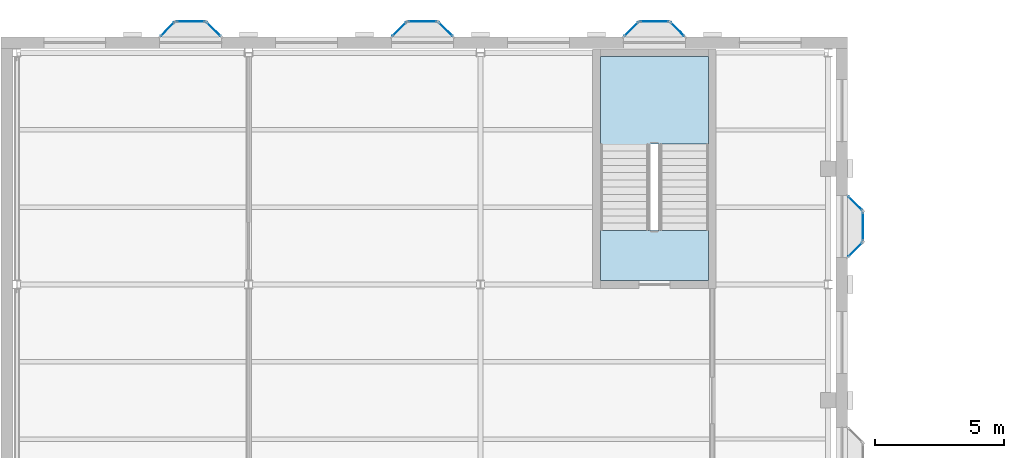
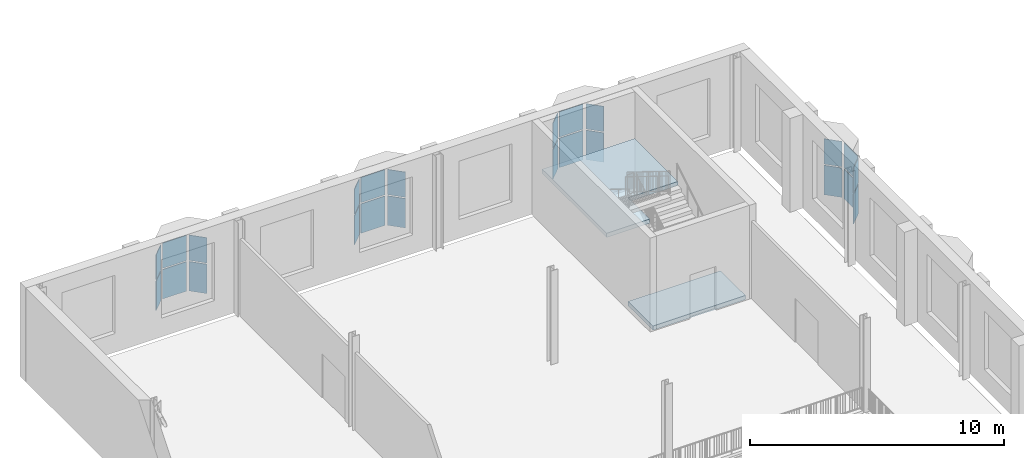
# One storey, part 38 of 74: 24 plates, 2 slabs, 13 elements without a shape of their own.
"""IFC4 building model written with IfcOpenShell, lengths in metres."""

from ifc_helpers import new_model, si_unit, direction, frame, origin, origin_2d, place, context, subcontext, project, spatial, polyline, rectangle, outline, extrude, material, layer, layer_set, type_object, element, aggregate, save


model = new_model("IFC4")

# Units and contexts
model_context = context("Model", 3, precision=1e-05, world=origin(), true_north=direction((0.0, 1.0)))
body_context = subcontext(model_context, "Body", "Model", "MODEL_VIEW")
ifc_project = project(units=[si_unit("LENGTHUNIT", "METRE"), si_unit("AREAUNIT", "SQUARE_METRE"), si_unit("VOLUMEUNIT", "CUBIC_METRE"), si_unit("PLANEANGLEUNIT", "RADIAN"), si_unit("MASSUNIT", "GRAM", prefix="KILO")], contexts=[model_context])

# Site, building, storey
site_placement = place(None, origin())
site = spatial("IfcSite", under=ifc_project, at=site_placement, CompositionType="ELEMENT")
building_placement = place(site_placement, origin())
building = spatial("IfcBuilding", under=site, at=building_placement, Name="Hortulan Conservatory and Botanical Research Centre", CompositionType="ELEMENT")
storey_placement = place(building_placement, frame((0.0, 0.0, 6.0)))
storey = spatial("IfcBuildingStorey", under=building, at=storey_placement, Name="L01", CompositionType="ELEMENT", Elevation=6.0)

# Curtain wall, plates
ifc_material_1 = material(Name="Bronze-finished aluminium", Category="aluminium")
ifc_layer_1 = layer(ifc_material_1, 0.10009765625)
ifc_layer_set_1 = layer_set([ifc_layer_1], Name="Oriel Curtain Wall 1350 module")
curtain_wall_type = type_object("IfcCurtainWallType", Name="Oriel Curtain Wall 1350 module", PredefinedType="NOTDEFINED", material=ifc_layer_set_1)
curtain_wall_1_placement = place(storey_placement, origin())
curtain_wall_1 = element("IfcCurtainWall", 1, at=curtain_wall_1_placement, inside=storey, type_object=curtain_wall_type, Name="Oriel glazing", PredefinedType="NOTDEFINED")
ifc_material_2 = material(Name="Low-e laminated glass", Category="glass")
ifc_layer_2 = layer(ifc_material_2, 0.028076171875)
ifc_layer_set_2 = layer_set([ifc_layer_2], Name="Laminated Glass Panel 28")
plate_type = type_object("IfcPlateType", Name="Laminated Glass Panel 28", PredefinedType="CURTAIN_PANEL", material=ifc_layer_set_2)
plate_1_placement = place(storey_placement, frame((5.85009765625, 72.910400390625, 0.9599609375), z_axis=(0.0, 0.0, 1.0), x_axis=(0.707106781187, 0.707106781187, 0.0)))
plate_1 = element("IfcPlate", 2, at=plate_1_placement, type_object=plate_type, Name="CW2 panel 1.1", PredefinedType="CURTAIN_PANEL", context=body_context, shape_type="SweptSolid", body=[
    extrude(rectangle(XDim=0.728515625, YDim=0.028076171875, at=origin_2d()), origin(), (0.0, 0.0, 1.0), 1.409912109375),
])
plate_2_placement = place(storey_placement, frame((5.85009765625, 72.910400390625, 2.429931640625), z_axis=(0.0, 0.0, 1.0), x_axis=(0.707106781187, 0.707106781187, 0.0)))
plate_2 = element("IfcPlate", 3, at=plate_2_placement, type_object=plate_type, Name="CW2 panel 1.2", PredefinedType="CURTAIN_PANEL", context=body_context, shape_type="SweptSolid", body=[
    extrude(rectangle(XDim=0.728515625, YDim=0.028076171875, at=origin_2d()), origin(), (0.0, 0.0, 1.0), 1.2099609375),
])
aggregate(curtain_wall_1, [plate_1, plate_2])

curtain_wall_2_placement = place(storey_placement, origin())
curtain_wall_2 = element("IfcCurtainWall", 4, at=curtain_wall_2_placement, inside=storey, type_object=curtain_wall_type, Name="Oriel glazing", PredefinedType="NOTDEFINED")
plate_3_placement = place(storey_placement, frame((6.75, 73.21044921875, 0.9599609375), z_axis=(0.0, 0.0, 1.0), x_axis=(1.0, 0.0, 0.0)))
plate_3 = element("IfcPlate", 5, at=plate_3_placement, type_object=plate_type, Name="CW2 panel 1.1", PredefinedType="CURTAIN_PANEL", context=body_context, shape_type="SweptSolid", body=[
    extrude(rectangle(XDim=1.080078125, YDim=0.028076171875, at=origin_2d()), origin(), (0.0, 0.0, 1.0), 1.409912109375),
])
plate_4_placement = place(storey_placement, frame((6.75, 73.21044921875, 2.429931640625), z_axis=(0.0, 0.0, 1.0), x_axis=(1.0, 0.0, 0.0)))
plate_4 = element("IfcPlate", 6, at=plate_4_placement, type_object=plate_type, Name="CW2 panel 1.2", PredefinedType="CURTAIN_PANEL", context=body_context, shape_type="SweptSolid", body=[
    extrude(rectangle(XDim=1.080078125, YDim=0.028076171875, at=origin_2d()), origin(), (0.0, 0.0, 1.0), 1.2099609375),
])
aggregate(curtain_wall_2, [plate_3, plate_4])

curtain_wall_3_placement = place(storey_placement, origin())
curtain_wall_3 = element("IfcCurtainWall", 7, at=curtain_wall_3_placement, inside=storey, type_object=curtain_wall_type, Name="Oriel glazing", PredefinedType="NOTDEFINED")
plate_5_placement = place(storey_placement, frame((7.64990234375, 72.910400390625, 0.9599609375), z_axis=(0.0, 0.0, 1.0), x_axis=(0.707106781187, -0.707106781187, 0.0)))
plate_5 = element("IfcPlate", 8, at=plate_5_placement, type_object=plate_type, Name="CW2 panel 1.1", PredefinedType="CURTAIN_PANEL", context=body_context, shape_type="SweptSolid", body=[
    extrude(rectangle(XDim=0.728515625, YDim=0.028076171875, at=origin_2d()), origin(), (0.0, 0.0, 1.0), 1.409912109375),
])
plate_6_placement = place(storey_placement, frame((7.64990234375, 72.910400390625, 2.429931640625), z_axis=(0.0, 0.0, 1.0), x_axis=(0.707106781187, -0.707106781187, 0.0)))
plate_6 = element("IfcPlate", 9, at=plate_6_placement, type_object=plate_type, Name="CW2 panel 1.2", PredefinedType="CURTAIN_PANEL", context=body_context, shape_type="SweptSolid", body=[
    extrude(rectangle(XDim=0.728515625, YDim=0.028076171875, at=origin_2d()), origin(), (0.0, 0.0, 1.0), 1.2099609375),
])
aggregate(curtain_wall_3, [plate_5, plate_6])

curtain_wall_4_placement = place(storey_placement, origin())
curtain_wall_4 = element("IfcCurtainWall", 10, at=curtain_wall_4_placement, inside=storey, type_object=curtain_wall_type, Name="Oriel glazing", PredefinedType="NOTDEFINED")
plate_7_placement = place(storey_placement, frame((14.85009765625, 72.910400390625, 0.9599609375), z_axis=(0.0, 0.0, 1.0), x_axis=(0.707106781187, 0.707106781187, 0.0)))
plate_7 = element("IfcPlate", 11, at=plate_7_placement, type_object=plate_type, Name="CW2 panel 1.1", PredefinedType="CURTAIN_PANEL", context=body_context, shape_type="SweptSolid", body=[
    extrude(rectangle(XDim=0.728515625, YDim=0.028076171875, at=origin_2d()), origin(), (0.0, 0.0, 1.0), 1.409912109375),
])
plate_8_placement = place(storey_placement, frame((14.85009765625, 72.910400390625, 2.429931640625), z_axis=(0.0, 0.0, 1.0), x_axis=(0.707106781187, 0.707106781187, 0.0)))
plate_8 = element("IfcPlate", 12, at=plate_8_placement, type_object=plate_type, Name="CW2 panel 1.2", PredefinedType="CURTAIN_PANEL", context=body_context, shape_type="SweptSolid", body=[
    extrude(rectangle(XDim=0.728515625, YDim=0.028076171875, at=origin_2d()), origin(), (0.0, 0.0, 1.0), 1.2099609375),
])
aggregate(curtain_wall_4, [plate_7, plate_8])

curtain_wall_5_placement = place(storey_placement, origin())
curtain_wall_5 = element("IfcCurtainWall", 13, at=curtain_wall_5_placement, inside=storey, type_object=curtain_wall_type, Name="Oriel glazing", PredefinedType="NOTDEFINED")
plate_9_placement = place(storey_placement, frame((15.75, 73.21044921875, 0.9599609375), z_axis=(0.0, 0.0, 1.0), x_axis=(1.0, 0.0, 0.0)))
plate_9 = element("IfcPlate", 14, at=plate_9_placement, type_object=plate_type, Name="CW2 panel 1.1", PredefinedType="CURTAIN_PANEL", context=body_context, shape_type="SweptSolid", body=[
    extrude(rectangle(XDim=1.080078125, YDim=0.028076171875, at=origin_2d()), origin(), (0.0, 0.0, 1.0), 1.409912109375),
])
plate_10_placement = place(storey_placement, frame((15.75, 73.21044921875, 2.429931640625), z_axis=(0.0, 0.0, 1.0), x_axis=(1.0, 0.0, 0.0)))
plate_10 = element("IfcPlate", 15, at=plate_10_placement, type_object=plate_type, Name="CW2 panel 1.2", PredefinedType="CURTAIN_PANEL", context=body_context, shape_type="SweptSolid", body=[
    extrude(rectangle(XDim=1.080078125, YDim=0.028076171875, at=origin_2d()), origin(), (0.0, 0.0, 1.0), 1.2099609375),
])
aggregate(curtain_wall_5, [plate_9, plate_10])

curtain_wall_6_placement = place(storey_placement, origin())
curtain_wall_6 = element("IfcCurtainWall", 16, at=curtain_wall_6_placement, inside=storey, type_object=curtain_wall_type, Name="Oriel glazing", PredefinedType="NOTDEFINED")
plate_11_placement = place(storey_placement, frame((16.64990234375, 72.910400390625, 0.9599609375), z_axis=(0.0, 0.0, 1.0), x_axis=(0.707106781187, -0.707106781187, 0.0)))
plate_11 = element("IfcPlate", 17, at=plate_11_placement, type_object=plate_type, Name="CW2 panel 1.1", PredefinedType="CURTAIN_PANEL", context=body_context, shape_type="SweptSolid", body=[
    extrude(rectangle(XDim=0.728515625, YDim=0.028076171875, at=origin_2d()), origin(), (0.0, 0.0, 1.0), 1.409912109375),
])
plate_12_placement = place(storey_placement, frame((16.64990234375, 72.910400390625, 2.429931640625), z_axis=(0.0, 0.0, 1.0), x_axis=(0.707106781187, -0.707106781187, 0.0)))
plate_12 = element("IfcPlate", 18, at=plate_12_placement, type_object=plate_type, Name="CW2 panel 1.2", PredefinedType="CURTAIN_PANEL", context=body_context, shape_type="SweptSolid", body=[
    extrude(rectangle(XDim=0.728515625, YDim=0.028076171875, at=origin_2d()), origin(), (0.0, 0.0, 1.0), 1.2099609375),
])
aggregate(curtain_wall_6, [plate_11, plate_12])

curtain_wall_7_placement = place(storey_placement, origin())
curtain_wall_7 = element("IfcCurtainWall", 19, at=curtain_wall_7_placement, inside=storey, type_object=curtain_wall_type, Name="Oriel glazing", PredefinedType="NOTDEFINED")
plate_13_placement = place(storey_placement, frame((23.85009765625, 72.910400390625, 0.9599609375), z_axis=(0.0, 0.0, 1.0), x_axis=(0.707106781187, 0.707106781187, 0.0)))
plate_13 = element("IfcPlate", 20, at=plate_13_placement, type_object=plate_type, Name="CW2 panel 1.1", PredefinedType="CURTAIN_PANEL", context=body_context, shape_type="SweptSolid", body=[
    extrude(rectangle(XDim=0.728515625, YDim=0.028076171875, at=origin_2d()), origin(), (0.0, 0.0, 1.0), 1.409912109375),
])
plate_14_placement = place(storey_placement, frame((23.85009765625, 72.910400390625, 2.429931640625), z_axis=(0.0, 0.0, 1.0), x_axis=(0.707106781187, 0.707106781187, 0.0)))
plate_14 = element("IfcPlate", 21, at=plate_14_placement, type_object=plate_type, Name="CW2 panel 1.2", PredefinedType="CURTAIN_PANEL", context=body_context, shape_type="SweptSolid", body=[
    extrude(rectangle(XDim=0.728515625, YDim=0.028076171875, at=origin_2d()), origin(), (0.0, 0.0, 1.0), 1.2099609375),
])
aggregate(curtain_wall_7, [plate_13, plate_14])

curtain_wall_8_placement = place(storey_placement, origin())
curtain_wall_8 = element("IfcCurtainWall", 22, at=curtain_wall_8_placement, inside=storey, type_object=curtain_wall_type, Name="Oriel glazing", PredefinedType="NOTDEFINED")
plate_15_placement = place(storey_placement, frame((24.75, 73.21044921875, 0.9599609375), z_axis=(0.0, 0.0, 1.0), x_axis=(1.0, 0.0, 0.0)))
plate_15 = element("IfcPlate", 23, at=plate_15_placement, type_object=plate_type, Name="CW2 panel 1.1", PredefinedType="CURTAIN_PANEL", context=body_context, shape_type="SweptSolid", body=[
    extrude(rectangle(XDim=1.080078125, YDim=0.028076171875, at=origin_2d()), origin(), (0.0, 0.0, 1.0), 1.409912109375),
])
plate_16_placement = place(storey_placement, frame((24.75, 73.21044921875, 2.429931640625), z_axis=(0.0, 0.0, 1.0), x_axis=(1.0, 0.0, 0.0)))
plate_16 = element("IfcPlate", 24, at=plate_16_placement, type_object=plate_type, Name="CW2 panel 1.2", PredefinedType="CURTAIN_PANEL", context=body_context, shape_type="SweptSolid", body=[
    extrude(rectangle(XDim=1.080078125, YDim=0.028076171875, at=origin_2d()), origin(), (0.0, 0.0, 1.0), 1.2099609375),
])
aggregate(curtain_wall_8, [plate_15, plate_16])

curtain_wall_9_placement = place(storey_placement, origin())
curtain_wall_9 = element("IfcCurtainWall", 25, at=curtain_wall_9_placement, inside=storey, type_object=curtain_wall_type, Name="Oriel glazing", PredefinedType="NOTDEFINED")
plate_17_placement = place(storey_placement, frame((25.64990234375, 72.910400390625, 0.9599609375), z_axis=(0.0, 0.0, 1.0), x_axis=(0.707106781187, -0.707106781187, 0.0)))
plate_17 = element("IfcPlate", 26, at=plate_17_placement, type_object=plate_type, Name="CW2 panel 1.1", PredefinedType="CURTAIN_PANEL", context=body_context, shape_type="SweptSolid", body=[
    extrude(rectangle(XDim=0.728515625, YDim=0.028076171875, at=origin_2d()), origin(), (0.0, 0.0, 1.0), 1.409912109375),
])
plate_18_placement = place(storey_placement, frame((25.64990234375, 72.910400390625, 2.429931640625), z_axis=(0.0, 0.0, 1.0), x_axis=(0.707106781187, -0.707106781187, 0.0)))
plate_18 = element("IfcPlate", 27, at=plate_18_placement, type_object=plate_type, Name="CW2 panel 1.2", PredefinedType="CURTAIN_PANEL", context=body_context, shape_type="SweptSolid", body=[
    extrude(rectangle(XDim=0.728515625, YDim=0.028076171875, at=origin_2d()), origin(), (0.0, 0.0, 1.0), 1.2099609375),
])
aggregate(curtain_wall_9, [plate_17, plate_18])

curtain_wall_10_placement = place(storey_placement, origin())
curtain_wall_10 = element("IfcCurtainWall", 28, at=curtain_wall_10_placement, inside=storey, type_object=curtain_wall_type, Name="Oriel glazing", PredefinedType="NOTDEFINED")
plate_19_placement = place(storey_placement, frame((32.550048828125, 66.14990234375, 0.9599609375), z_axis=(0.0, 0.0, 1.0), x_axis=(0.707106781187, -0.707106781187, 0.0)))
plate_19 = element("IfcPlate", 29, at=plate_19_placement, type_object=plate_type, Name="CW2 panel 1.1", PredefinedType="CURTAIN_PANEL", context=body_context, shape_type="SweptSolid", body=[
    extrude(rectangle(XDim=0.728515625, YDim=0.028076171875, at=origin_2d()), origin(), (0.0, 0.0, 1.0), 1.409912109375),
])
plate_20_placement = place(storey_placement, frame((32.550048828125, 66.14990234375, 2.429931640625), z_axis=(0.0, 0.0, 1.0), x_axis=(0.707106781187, -0.707106781187, 0.0)))
plate_20 = element("IfcPlate", 30, at=plate_20_placement, type_object=plate_type, Name="CW2 panel 1.2", PredefinedType="CURTAIN_PANEL", context=body_context, shape_type="SweptSolid", body=[
    extrude(rectangle(XDim=0.728515625, YDim=0.028076171875, at=origin_2d()), origin(), (0.0, 0.0, 1.0), 1.2099609375),
])
aggregate(curtain_wall_10, [plate_19, plate_20])

curtain_wall_11_placement = place(storey_placement, origin())
curtain_wall_11 = element("IfcCurtainWall", 31, at=curtain_wall_11_placement, inside=storey, type_object=curtain_wall_type, Name="Oriel glazing", PredefinedType="NOTDEFINED")
plate_21_placement = place(storey_placement, frame((32.85009765625, 65.25, 0.9599609375), z_axis=(0.0, 0.0, 1.0), x_axis=(0.0, -1.0, 0.0)))
plate_21 = element("IfcPlate", 32, at=plate_21_placement, type_object=plate_type, Name="CW2 panel 1.1", PredefinedType="CURTAIN_PANEL", context=body_context, shape_type="SweptSolid", body=[
    extrude(rectangle(XDim=1.080078125, YDim=0.028076171875, at=origin_2d()), origin(), (0.0, 0.0, 1.0), 1.409912109375),
])
plate_22_placement = place(storey_placement, frame((32.85009765625, 65.25, 2.429931640625), z_axis=(0.0, 0.0, 1.0), x_axis=(0.0, -1.0, 0.0)))
plate_22 = element("IfcPlate", 33, at=plate_22_placement, type_object=plate_type, Name="CW2 panel 1.2", PredefinedType="CURTAIN_PANEL", context=body_context, shape_type="SweptSolid", body=[
    extrude(rectangle(XDim=1.080078125, YDim=0.028076171875, at=origin_2d()), origin(), (0.0, 0.0, 1.0), 1.2099609375),
])
aggregate(curtain_wall_11, [plate_21, plate_22])

curtain_wall_12_placement = place(storey_placement, origin())
curtain_wall_12 = element("IfcCurtainWall", 34, at=curtain_wall_12_placement, inside=storey, type_object=curtain_wall_type, Name="Oriel glazing", PredefinedType="NOTDEFINED")
plate_23_placement = place(storey_placement, frame((32.550048828125, 64.35009765625, 0.9599609375), z_axis=(0.0, 0.0, 1.0), x_axis=(-0.707106781187, -0.707106781187, 0.0)))
plate_23 = element("IfcPlate", 35, at=plate_23_placement, type_object=plate_type, Name="CW2 panel 1.1", PredefinedType="CURTAIN_PANEL", context=body_context, shape_type="SweptSolid", body=[
    extrude(rectangle(XDim=0.728515625, YDim=0.028076171875, at=origin_2d()), origin(), (0.0, 0.0, 1.0), 1.409912109375),
])
plate_24_placement = place(storey_placement, frame((32.550048828125, 64.35009765625, 2.429931640625), z_axis=(0.0, 0.0, 1.0), x_axis=(-0.707106781187, -0.707106781187, 0.0)))
plate_24 = element("IfcPlate", 36, at=plate_24_placement, type_object=plate_type, Name="CW2 panel 1.2", PredefinedType="CURTAIN_PANEL", context=body_context, shape_type="SweptSolid", body=[
    extrude(rectangle(XDim=0.728515625, YDim=0.028076171875, at=origin_2d()), origin(), (0.0, 0.0, 1.0), 1.2099609375),
])
aggregate(curtain_wall_12, [plate_23, plate_24])

# Stair, slab
ifc_material_3 = material(Name="Concrete N40 (40 MPa, AS 3600)", Category="concrete")
stair_type = type_object("IfcStairType", Name="Concrete Escape Stair 1950", PredefinedType="HALF_TURN_STAIR", material=ifc_material_3)
stair_placement = place(storey_placement, origin())
stair = element("IfcStair", 37, at=stair_placement, inside=storey, type_object=stair_type, Name="Stair V2 L01", PredefinedType="HALF_TURN_STAIR")
ifc_layer_3 = layer(ifc_material_3, 0.199951171875)
ifc_layer_set_3 = layer_set([ifc_layer_3], Name="Stair Landing 200")
slab_type = type_object("IfcSlabType", Name="Stair Landing 200", PredefinedType="LANDING", material=ifc_layer_set_3)
slab_1_placement = place(storey_placement, frame((0.0, 0.0, 2.050048828125)))
slab_1 = element("IfcSlab", 38, at=slab_1_placement, type_object=slab_type, Name="Stair V2 L01 half landing 1", PredefinedType="LANDING", context=body_context, shape_type="SweptSolid", body=[
    extrude(outline(polyline([(26.85009765625, 68.45947265625), (24.60009765625, 68.45947265625), (24.60009765625, 66.780029296875), (22.64990234375, 66.780029296875), (22.64990234375, 68.45947265625), (22.64990234375, 68.4599609375), (22.64990234375, 68.469970703125), (22.64990234375, 71.85009765625), (26.85009765625, 71.85009765625), (26.85009765625, 68.469970703125), (26.85009765625, 68.4599609375), (26.85009765625, 68.45947265625)])), origin(), (0.0, 0.0, 1.0), 0.199951171875),
])
aggregate(stair, [slab_1])

# Slab
slab_2_placement = place(storey_placement, frame((0.0, 0.0, -0.199951171875)))
element("IfcSlab", 39, at=slab_2_placement, inside=storey, type_object=slab_type, Name="Stair V2 floor landing L01", PredefinedType="LANDING", context=body_context, shape_type="SweptSolid", body=[
    extrude(outline(polyline([(26.85009765625, 63.14990234375), (22.64990234375, 63.14990234375), (22.64990234375, 65.10009765625), (26.85009765625, 65.10009765625), (26.85009765625, 63.14990234375)])), origin(), (0.0, 0.0, 1.0), 0.199951171875),
])

save(model, "model.ifc")
